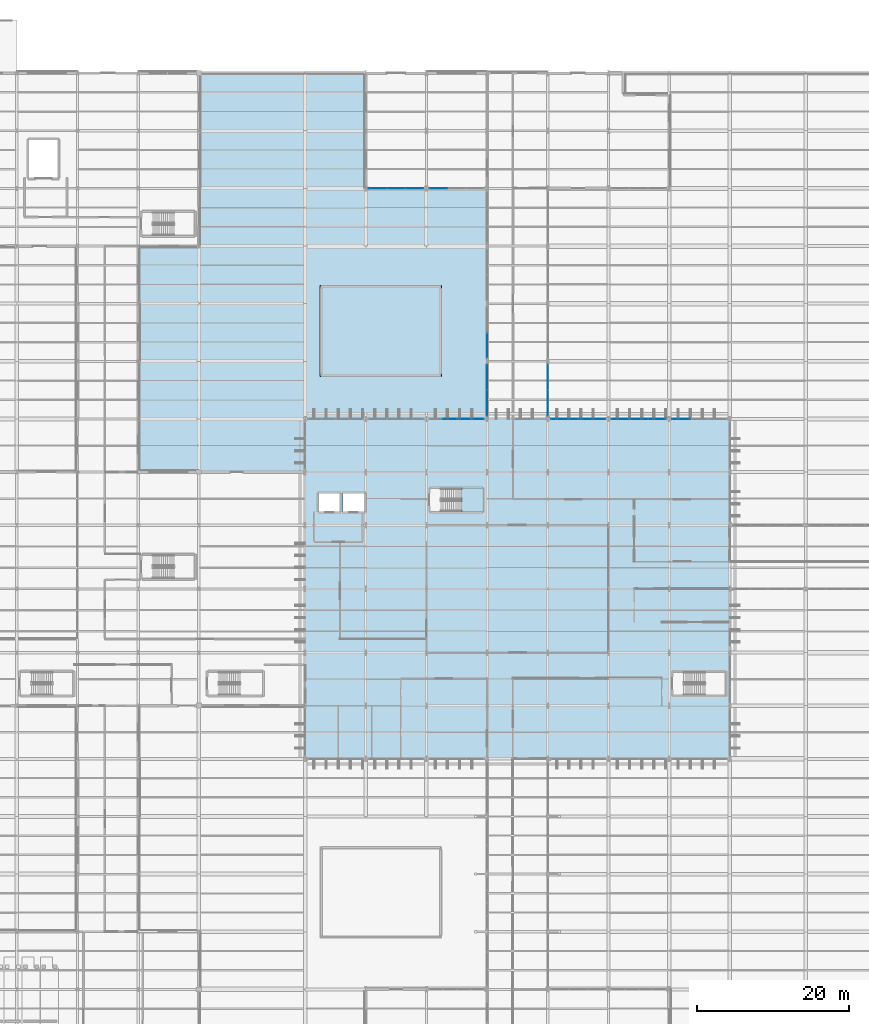
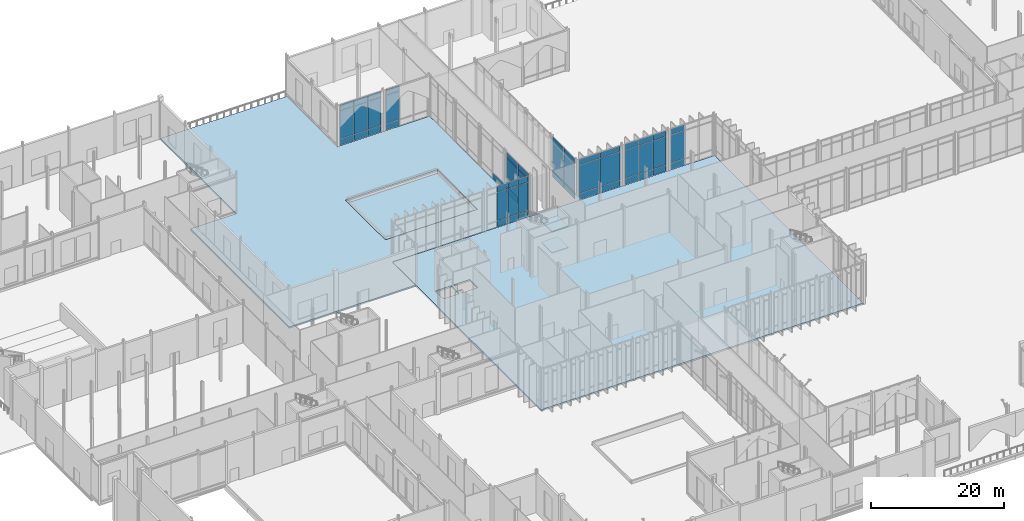
# One storey, part 120 of 176: 52 plates, 5 slabs, 10 elements without a shape of their own.
"""IFC4 building model written with IfcOpenShell, lengths in metres."""

from ifc_helpers import new_model, si_unit, direction, frame, origin, origin_2d, place, context, subcontext, project, spatial, polyline, rectangle, outline, extrude, material, layer, layer_set, type_object, element, aggregate, save


model = new_model("IFC4")

# Units and contexts
model_context = context("Model", 3, precision=1e-05, world=origin(), true_north=direction((0.0, 1.0)))
body_context = subcontext(model_context, "Body", "Model", "MODEL_VIEW")
ifc_project = project(units=[si_unit("LENGTHUNIT", "METRE"), si_unit("AREAUNIT", "SQUARE_METRE"), si_unit("VOLUMEUNIT", "CUBIC_METRE"), si_unit("PLANEANGLEUNIT", "RADIAN"), si_unit("MASSUNIT", "GRAM", prefix="KILO")], contexts=[model_context])

# Site, building, storey
site_placement = place(None, origin())
site = spatial("IfcSite", under=ifc_project, at=site_placement, CompositionType="ELEMENT")
building_placement = place(site_placement, origin())
building = spatial("IfcBuilding", under=site, at=building_placement, Name="Vekula Escarpment Museum", CompositionType="ELEMENT")
storey_placement = place(building_placement, origin())
storey = spatial("IfcBuildingStorey", under=building, at=storey_placement, Name="L01", CompositionType="ELEMENT", Elevation=0.0)

# Curtain wall, plates
ifc_material_1 = material(Name="Aluminium thermally broken framing", Category="aluminium")
ifc_layer_1 = layer(ifc_material_1, 0.179931640625)
ifc_layer_set_1 = layer_set([ifc_layer_1], Name="Aluminium thermally broken framing")
curtain_wall_type_1 = type_object("IfcCurtainWallType", Name="CW-SYS-08", PredefinedType="NOTDEFINED", material=ifc_layer_set_1)
curtain_wall_1_placement = place(storey_placement, origin())
curtain_wall_1 = element("IfcCurtainWall", 1, at=curtain_wall_1_placement, inside=storey, type_object=curtain_wall_type_1, Name="Curtain Wall CW-L01-028", PredefinedType="NOTDEFINED")
ifc_material_2 = material(Name="Double solar-control low-E glass", Category="glass")
ifc_layer_2 = layer(ifc_material_2, 0.028076171875)
ifc_layer_set_2 = layer_set([ifc_layer_2], Name="Double solar-control low-E glass")
plate_type_1 = type_object("IfcPlateType", Name="CW-PNL-28", PredefinedType="CURTAIN_PANEL", material=ifc_layer_set_2)
plate_1_placement = place(storey_placement, frame((102.0, 92.496337890625, 0.06494140625), z_axis=(0.0, 0.0, 1.0), x_axis=(0.0, 1.0, 0.0)))
plate_1 = element("IfcPlate", 2, at=plate_1_placement, type_object=plate_type_1, Name="CW-08 panel 1.1", PredefinedType="CURTAIN_PANEL", context=body_context, shape_type="SweptSolid", body=[
    extrude(rectangle(XDim=3.342529296875, YDim=0.028076171875, at=origin_2d()), origin(), (0.0, 0.0, 1.0), 1.1025390625),
])
plate_2_placement = place(storey_placement, frame((102.0, 92.496337890625, 1.232421875), z_axis=(0.0, 0.0, 1.0), x_axis=(0.0, 1.0, 0.0)))
plate_2 = element("IfcPlate", 3, at=plate_2_placement, type_object=plate_type_1, Name="CW-08 panel 1.2", PredefinedType="CURTAIN_PANEL", context=body_context, shape_type="SweptSolid", body=[
    extrude(rectangle(XDim=3.342529296875, YDim=0.028076171875, at=origin_2d()), origin(), (0.0, 0.0, 1.0), 5.175048828125),
])
plate_3_placement = place(storey_placement, frame((102.0, 92.496337890625, 6.472412109375), z_axis=(0.0, 0.0, 1.0), x_axis=(0.0, 1.0, 0.0)))
plate_3 = element("IfcPlate", 4, at=plate_3_placement, type_object=plate_type_1, Name="CW-08 panel 1.3", PredefinedType="CURTAIN_PANEL", context=body_context, shape_type="SweptSolid", body=[
    extrude(rectangle(XDim=3.342529296875, YDim=0.028076171875, at=origin_2d()), origin(), (0.0, 0.0, 1.0), 1.00244140625),
])
plate_4_placement = place(storey_placement, frame((102.0, 95.90380859375, 0.06494140625), z_axis=(0.0, 0.0, 1.0), x_axis=(0.0, 1.0, 0.0)))
plate_4 = element("IfcPlate", 5, at=plate_4_placement, type_object=plate_type_1, Name="CW-08 panel 2.1", PredefinedType="CURTAIN_PANEL", context=body_context, shape_type="SweptSolid", body=[
    extrude(rectangle(XDim=3.342529296875, YDim=0.028076171875, at=origin_2d()), origin(), (0.0, 0.0, 1.0), 1.1025390625),
])
plate_5_placement = place(storey_placement, frame((102.0, 95.90380859375, 1.232421875), z_axis=(0.0, 0.0, 1.0), x_axis=(0.0, 1.0, 0.0)))
plate_5 = element("IfcPlate", 6, at=plate_5_placement, type_object=plate_type_1, Name="CW-08 panel 2.2", PredefinedType="CURTAIN_PANEL", context=body_context, shape_type="SweptSolid", body=[
    extrude(rectangle(XDim=3.342529296875, YDim=0.028076171875, at=origin_2d()), origin(), (0.0, 0.0, 1.0), 5.175048828125),
])
plate_6_placement = place(storey_placement, frame((102.0, 95.90380859375, 6.472412109375), z_axis=(0.0, 0.0, 1.0), x_axis=(0.0, 1.0, 0.0)))
plate_6 = element("IfcPlate", 7, at=plate_6_placement, type_object=plate_type_1, Name="CW-08 panel 2.3", PredefinedType="CURTAIN_PANEL", context=body_context, shape_type="SweptSolid", body=[
    extrude(rectangle(XDim=3.342529296875, YDim=0.028076171875, at=origin_2d()), origin(), (0.0, 0.0, 1.0), 1.00244140625),
])
aggregate(curtain_wall_1, [plate_1, plate_2, plate_3, plate_4, plate_5, plate_6])

ifc_material_3 = material(Name="Aluminium thermally broken framing", Category="aluminium")
ifc_layer_3 = layer(ifc_material_3, 0.159912109375)
ifc_layer_set_3 = layer_set([ifc_layer_3], Name="Aluminium thermally broken framing")
curtain_wall_type_2 = type_object("IfcCurtainWallType", Name="CW-SYS-05", PredefinedType="NOTDEFINED", material=ifc_layer_set_3)
curtain_wall_2_placement = place(storey_placement, origin())
curtain_wall_2 = element("IfcCurtainWall", 8, at=curtain_wall_2_placement, inside=storey, type_object=curtain_wall_type_2, Name="Curtain Wall CW-L01-025", PredefinedType="NOTDEFINED")
ifc_material_4 = material(Name="Acoustic laminated double low-E glass", Category="glass")
ifc_layer_4 = layer(ifc_material_4, 0.031982421875)
ifc_layer_set_4 = layer_set([ifc_layer_4], Name="Acoustic laminated double low-E glass")
plate_type_2 = type_object("IfcPlateType", Name="CW-PNL-32", PredefinedType="CURTAIN_PANEL", material=ifc_layer_set_4)
plate_7_placement = place(storey_placement, frame((119.589599609375, 90.39990234375, 0.06494140625), z_axis=(0.0, 0.0, 1.0), x_axis=(-1.0, 0.0, 0.0)))
plate_7 = element("IfcPlate", 9, at=plate_7_placement, type_object=plate_type_2, Name="CW-05 panel 3.1", PredefinedType="CURTAIN_PANEL", context=body_context, shape_type="SweptSolid", body=[
    extrude(rectangle(XDim=2.3291015625, YDim=0.031982421875, at=origin_2d()), origin(), (0.0, 0.0, 1.0), 1.1025390625),
])
plate_8_placement = place(storey_placement, frame((119.589599609375, 90.39990234375, 1.232421875), z_axis=(0.0, 0.0, 1.0), x_axis=(-1.0, 0.0, 0.0)))
plate_8 = element("IfcPlate", 10, at=plate_8_placement, type_object=plate_type_2, Name="CW-05 panel 3.2", PredefinedType="CURTAIN_PANEL", context=body_context, shape_type="SweptSolid", body=[
    extrude(rectangle(XDim=2.3291015625, YDim=0.031982421875, at=origin_2d()), origin(), (0.0, 0.0, 1.0), 5.175048828125),
])
plate_9_placement = place(storey_placement, frame((119.589599609375, 90.39990234375, 6.472412109375), z_axis=(0.0, 0.0, 1.0), x_axis=(-1.0, 0.0, 0.0)))
plate_9 = element("IfcPlate", 11, at=plate_9_placement, type_object=plate_type_2, Name="CW-05 panel 3.3", PredefinedType="CURTAIN_PANEL", context=body_context, shape_type="SweptSolid", body=[
    extrude(rectangle(XDim=2.3291015625, YDim=0.031982421875, at=origin_2d()), origin(), (0.0, 0.0, 1.0), 1.00244140625),
])
aggregate(curtain_wall_2, [plate_7, plate_8, plate_9])

ifc_material_5 = material(Name="Aluminium thermally broken framing", Category="aluminium")
ifc_layer_5 = layer(ifc_material_5, 0.199951171875)
ifc_layer_set_5 = layer_set([ifc_layer_5], Name="Aluminium thermally broken framing")
curtain_wall_type_3 = type_object("IfcCurtainWallType", Name="CW-SYS-03", PredefinedType="NOTDEFINED", material=ifc_layer_set_5)
curtain_wall_3_placement = place(storey_placement, origin())
curtain_wall_3 = element("IfcCurtainWall", 12, at=curtain_wall_3_placement, inside=storey, type_object=curtain_wall_type_3, Name="Curtain Wall CW-L01-033", PredefinedType="NOTDEFINED")
plate_10_placement = place(storey_placement, frame((79.589599609375, 120.800048828125, 0.06494140625), z_axis=(0.0, 0.0, 1.0), x_axis=(1.0, 0.0, 0.0)))
plate_10 = element("IfcPlate", 13, at=plate_10_placement, type_object=plate_type_2, Name="CW-03 panel 1.1", PredefinedType="CURTAIN_PANEL", context=body_context, shape_type="SweptSolid", body=[
    extrude(rectangle(XDim=2.3291015625, YDim=0.031982421875, at=origin_2d()), origin(), (0.0, 0.0, 1.0), 1.1025390625),
])
plate_11_placement = place(storey_placement, frame((79.589599609375, 120.800048828125, 1.232421875), z_axis=(0.0, 0.0, 1.0), x_axis=(1.0, 0.0, 0.0)))
plate_11 = element("IfcPlate", 14, at=plate_11_placement, type_object=plate_type_2, Name="CW-03 panel 1.2", PredefinedType="CURTAIN_PANEL", context=body_context, shape_type="SweptSolid", body=[
    extrude(rectangle(XDim=2.3291015625, YDim=0.031982421875, at=origin_2d()), origin(), (0.0, 0.0, 1.0), 5.175048828125),
])
plate_12_placement = place(storey_placement, frame((79.589599609375, 120.800048828125, 6.472412109375), z_axis=(0.0, 0.0, 1.0), x_axis=(1.0, 0.0, 0.0)))
plate_12 = element("IfcPlate", 15, at=plate_12_placement, type_object=plate_type_2, Name="CW-03 panel 1.3", PredefinedType="CURTAIN_PANEL", context=body_context, shape_type="SweptSolid", body=[
    extrude(rectangle(XDim=2.3291015625, YDim=0.031982421875, at=origin_2d()), origin(), (0.0, 0.0, 1.0), 1.00244140625),
])
plate_13_placement = place(storey_placement, frame((82.0, 120.800048828125, 0.06494140625), z_axis=(0.0, 0.0, 1.0), x_axis=(1.0, 0.0, 0.0)))
plate_13 = element("IfcPlate", 16, at=plate_13_placement, type_object=plate_type_2, Name="CW-03 panel 2.1", PredefinedType="CURTAIN_PANEL", context=body_context, shape_type="SweptSolid", body=[
    extrude(rectangle(XDim=2.361572265625, YDim=0.031982421875, at=origin_2d()), origin(), (0.0, 0.0, 1.0), 1.1025390625),
])
plate_14_placement = place(storey_placement, frame((82.0, 120.800048828125, 1.232421875), z_axis=(0.0, 0.0, 1.0), x_axis=(1.0, 0.0, 0.0)))
plate_14 = element("IfcPlate", 17, at=plate_14_placement, type_object=plate_type_2, Name="CW-03 panel 2.2", PredefinedType="CURTAIN_PANEL", context=body_context, shape_type="SweptSolid", body=[
    extrude(rectangle(XDim=2.361572265625, YDim=0.031982421875, at=origin_2d()), origin(), (0.0, 0.0, 1.0), 5.175048828125),
])
plate_15_placement = place(storey_placement, frame((82.0, 120.800048828125, 6.472412109375), z_axis=(0.0, 0.0, 1.0), x_axis=(1.0, 0.0, 0.0)))
plate_15 = element("IfcPlate", 18, at=plate_15_placement, type_object=plate_type_2, Name="CW-03 panel 2.3", PredefinedType="CURTAIN_PANEL", context=body_context, shape_type="SweptSolid", body=[
    extrude(rectangle(XDim=2.361572265625, YDim=0.031982421875, at=origin_2d()), origin(), (0.0, 0.0, 1.0), 1.00244140625),
])
plate_16_placement = place(storey_placement, frame((84.410400390625, 120.800048828125, 0.06494140625), z_axis=(0.0, 0.0, 1.0), x_axis=(1.0, 0.0, 0.0)))
plate_16 = element("IfcPlate", 19, at=plate_16_placement, type_object=plate_type_2, Name="CW-03 panel 3.1", PredefinedType="CURTAIN_PANEL", context=body_context, shape_type="SweptSolid", body=[
    extrude(rectangle(XDim=2.3291015625, YDim=0.031982421875, at=origin_2d()), origin(), (0.0, 0.0, 1.0), 1.1025390625),
])
plate_17_placement = place(storey_placement, frame((84.410400390625, 120.800048828125, 1.232421875), z_axis=(0.0, 0.0, 1.0), x_axis=(1.0, 0.0, 0.0)))
plate_17 = element("IfcPlate", 20, at=plate_17_placement, type_object=plate_type_2, Name="CW-03 panel 3.2", PredefinedType="CURTAIN_PANEL", context=body_context, shape_type="SweptSolid", body=[
    extrude(rectangle(XDim=2.3291015625, YDim=0.031982421875, at=origin_2d()), origin(), (0.0, 0.0, 1.0), 5.175048828125),
])
plate_18_placement = place(storey_placement, frame((84.410400390625, 120.800048828125, 6.472412109375), z_axis=(0.0, 0.0, 1.0), x_axis=(1.0, 0.0, 0.0)))
plate_18 = element("IfcPlate", 21, at=plate_18_placement, type_object=plate_type_2, Name="CW-03 panel 3.3", PredefinedType="CURTAIN_PANEL", context=body_context, shape_type="SweptSolid", body=[
    extrude(rectangle(XDim=2.3291015625, YDim=0.031982421875, at=origin_2d()), origin(), (0.0, 0.0, 1.0), 1.00244140625),
])
aggregate(curtain_wall_3, [plate_10, plate_11, plate_12, plate_13, plate_14, plate_15, plate_16, plate_17, plate_18])

# Curtain wall, plate
ifc_material_6 = material(Name="Aluminium thermally broken framing", Category="aluminium")
ifc_layer_6 = layer(ifc_material_6, 0.179931640625)
ifc_layer_set_6 = layer_set([ifc_layer_6], Name="Aluminium thermally broken framing")
curtain_wall_type_4 = type_object("IfcCurtainWallType", Name="CW-SYS-07", PredefinedType="NOTDEFINED", material=ifc_layer_set_6)
curtain_wall_4_placement = place(storey_placement, origin())
curtain_wall_4 = element("IfcCurtainWall", 22, at=curtain_wall_4_placement, inside=storey, type_object=curtain_wall_type_4, Name="Curtain Wall CW-L01-037", PredefinedType="NOTDEFINED")
plate_19_placement = place(storey_placement, frame((94.0, 100.09619140625, 0.06494140625), z_axis=(0.0, 0.0, 1.0), x_axis=(0.0, -1.0, 0.0)))
plate_19 = element("IfcPlate", 23, at=plate_19_placement, type_object=plate_type_2, Name="CW-07 panel 2.1", PredefinedType="CURTAIN_PANEL", context=body_context, shape_type="SweptSolid", body=[
    extrude(rectangle(XDim=3.342529296875, YDim=0.031982421875, at=origin_2d()), origin(), (0.0, 0.0, 1.0), 1.1025390625),
])
aggregate(curtain_wall_4, [plate_19])

# Curtain wall, plates
ifc_material_7 = material(Name="Aluminium thermally broken framing", Category="aluminium")
ifc_layer_7 = layer(ifc_material_7, 0.139892578125)
ifc_layer_set_7 = layer_set([ifc_layer_7], Name="Aluminium thermally broken framing")
curtain_wall_type_5 = type_object("IfcCurtainWallType", Name="CW-SYS-06", PredefinedType="NOTDEFINED", material=ifc_layer_set_7)
curtain_wall_5_placement = place(storey_placement, origin())
curtain_wall_5 = element("IfcCurtainWall", 24, at=curtain_wall_5_placement, inside=storey, type_object=curtain_wall_type_5, Name="Curtain Wall CW-L01-026", PredefinedType="NOTDEFINED")
ifc_material_8 = material(Name="Triple UV-filtered museum gallery glass", Category="glass")
ifc_layer_8 = layer(ifc_material_8, 0.035888671875)
ifc_layer_set_8 = layer_set([ifc_layer_8], Name="Triple UV-filtered museum gallery glass")
plate_type_3 = type_object("IfcPlateType", Name="CW-PNL-36", PredefinedType="CURTAIN_PANEL", material=ifc_layer_set_8)
plate_20_placement = place(storey_placement, frame((116.410400390625, 90.39990234375, 0.06494140625), z_axis=(0.0, 0.0, 1.0), x_axis=(-1.0, 0.0, 0.0)))
plate_20 = element("IfcPlate", 25, at=plate_20_placement, type_object=plate_type_3, Name="CW-06 panel 1.1", PredefinedType="CURTAIN_PANEL", context=body_context, shape_type="SweptSolid", body=[
    extrude(rectangle(XDim=2.3291015625, YDim=0.035888671875, at=origin_2d()), origin(), (0.0, 0.0, 1.0), 1.1025390625),
])
plate_21_placement = place(storey_placement, frame((116.410400390625, 90.39990234375, 1.232421875), z_axis=(0.0, 0.0, 1.0), x_axis=(-1.0, 0.0, 0.0)))
plate_21 = element("IfcPlate", 26, at=plate_21_placement, type_object=plate_type_3, Name="CW-06 panel 1.2", PredefinedType="CURTAIN_PANEL", context=body_context, shape_type="SweptSolid", body=[
    extrude(rectangle(XDim=2.3291015625, YDim=0.035888671875, at=origin_2d()), origin(), (0.0, 0.0, 1.0), 5.175048828125),
])
plate_22_placement = place(storey_placement, frame((116.410400390625, 90.39990234375, 6.472412109375), z_axis=(0.0, 0.0, 1.0), x_axis=(-1.0, 0.0, 0.0)))
plate_22 = element("IfcPlate", 27, at=plate_22_placement, type_object=plate_type_3, Name="CW-06 panel 1.3", PredefinedType="CURTAIN_PANEL", context=body_context, shape_type="SweptSolid", body=[
    extrude(rectangle(XDim=2.3291015625, YDim=0.035888671875, at=origin_2d()), origin(), (0.0, 0.0, 1.0), 1.00244140625),
])
plate_23_placement = place(storey_placement, frame((114.0, 90.39990234375, 0.06494140625), z_axis=(0.0, 0.0, 1.0), x_axis=(-1.0, 0.0, 0.0)))
plate_23 = element("IfcPlate", 28, at=plate_23_placement, type_object=plate_type_3, Name="CW-06 panel 2.1", PredefinedType="CURTAIN_PANEL", context=body_context, shape_type="SweptSolid", body=[
    extrude(rectangle(XDim=2.361572265625, YDim=0.035888671875, at=origin_2d()), origin(), (0.0, 0.0, 1.0), 1.1025390625),
])
plate_24_placement = place(storey_placement, frame((114.0, 90.39990234375, 1.232421875), z_axis=(0.0, 0.0, 1.0), x_axis=(-1.0, 0.0, 0.0)))
plate_24 = element("IfcPlate", 29, at=plate_24_placement, type_object=plate_type_3, Name="CW-06 panel 2.2", PredefinedType="CURTAIN_PANEL", context=body_context, shape_type="SweptSolid", body=[
    extrude(rectangle(XDim=2.361572265625, YDim=0.035888671875, at=origin_2d()), origin(), (0.0, 0.0, 1.0), 5.175048828125),
])
plate_25_placement = place(storey_placement, frame((114.0, 90.39990234375, 6.472412109375), z_axis=(0.0, 0.0, 1.0), x_axis=(-1.0, 0.0, 0.0)))
plate_25 = element("IfcPlate", 30, at=plate_25_placement, type_object=plate_type_3, Name="CW-06 panel 2.3", PredefinedType="CURTAIN_PANEL", context=body_context, shape_type="SweptSolid", body=[
    extrude(rectangle(XDim=2.361572265625, YDim=0.035888671875, at=origin_2d()), origin(), (0.0, 0.0, 1.0), 1.00244140625),
])
plate_26_placement = place(storey_placement, frame((111.589599609375, 90.39990234375, 0.06494140625), z_axis=(0.0, 0.0, 1.0), x_axis=(-1.0, 0.0, 0.0)))
plate_26 = element("IfcPlate", 31, at=plate_26_placement, type_object=plate_type_3, Name="CW-06 panel 3.1", PredefinedType="CURTAIN_PANEL", context=body_context, shape_type="SweptSolid", body=[
    extrude(rectangle(XDim=2.3291015625, YDim=0.035888671875, at=origin_2d()), origin(), (0.0, 0.0, 1.0), 1.1025390625),
])
plate_27_placement = place(storey_placement, frame((111.589599609375, 90.39990234375, 1.232421875), z_axis=(0.0, 0.0, 1.0), x_axis=(-1.0, 0.0, 0.0)))
plate_27 = element("IfcPlate", 32, at=plate_27_placement, type_object=plate_type_3, Name="CW-06 panel 3.2", PredefinedType="CURTAIN_PANEL", context=body_context, shape_type="SweptSolid", body=[
    extrude(rectangle(XDim=2.3291015625, YDim=0.035888671875, at=origin_2d()), origin(), (0.0, 0.0, 1.0), 5.175048828125),
])
plate_28_placement = place(storey_placement, frame((111.589599609375, 90.39990234375, 6.472412109375), z_axis=(0.0, 0.0, 1.0), x_axis=(-1.0, 0.0, 0.0)))
plate_28 = element("IfcPlate", 33, at=plate_28_placement, type_object=plate_type_3, Name="CW-06 panel 3.3", PredefinedType="CURTAIN_PANEL", context=body_context, shape_type="SweptSolid", body=[
    extrude(rectangle(XDim=2.3291015625, YDim=0.035888671875, at=origin_2d()), origin(), (0.0, 0.0, 1.0), 1.00244140625),
])
aggregate(curtain_wall_5, [plate_20, plate_21, plate_22, plate_23, plate_24, plate_25, plate_26, plate_27, plate_28])

ifc_material_9 = material(Name="Aluminium thermally broken framing", Category="aluminium")
ifc_layer_9 = layer(ifc_material_9, 0.199951171875)
ifc_layer_set_9 = layer_set([ifc_layer_9], Name="Aluminium thermally broken framing")
curtain_wall_type_6 = type_object("IfcCurtainWallType", Name="CW-SYS-04", PredefinedType="NOTDEFINED", material=ifc_layer_set_9)
curtain_wall_6_placement = place(storey_placement, origin())
curtain_wall_6 = element("IfcCurtainWall", 34, at=curtain_wall_6_placement, inside=storey, type_object=curtain_wall_type_6, Name="Curtain Wall CW-L01-034", PredefinedType="NOTDEFINED")
plate_29_placement = place(storey_placement, frame((87.589599609375, 120.800048828125, 0.06494140625), z_axis=(0.0, 0.0, 1.0), x_axis=(1.0, 0.0, 0.0)))
plate_29 = element("IfcPlate", 35, at=plate_29_placement, type_object=plate_type_3, Name="CW-04 panel 1.1", PredefinedType="CURTAIN_PANEL", context=body_context, shape_type="SweptSolid", body=[
    extrude(rectangle(XDim=2.3291015625, YDim=0.035888671875, at=origin_2d()), origin(), (0.0, 0.0, 1.0), 1.1025390625),
])
plate_30_placement = place(storey_placement, frame((87.589599609375, 120.800048828125, 1.232421875), z_axis=(0.0, 0.0, 1.0), x_axis=(1.0, 0.0, 0.0)))
plate_30 = element("IfcPlate", 36, at=plate_30_placement, type_object=plate_type_3, Name="CW-04 panel 1.2", PredefinedType="CURTAIN_PANEL", context=body_context, shape_type="SweptSolid", body=[
    extrude(rectangle(XDim=2.3291015625, YDim=0.035888671875, at=origin_2d()), origin(), (0.0, 0.0, 1.0), 5.175048828125),
])
plate_31_placement = place(storey_placement, frame((87.589599609375, 120.800048828125, 6.472412109375), z_axis=(0.0, 0.0, 1.0), x_axis=(1.0, 0.0, 0.0)))
plate_31 = element("IfcPlate", 37, at=plate_31_placement, type_object=plate_type_3, Name="CW-04 panel 1.3", PredefinedType="CURTAIN_PANEL", context=body_context, shape_type="SweptSolid", body=[
    extrude(rectangle(XDim=2.3291015625, YDim=0.035888671875, at=origin_2d()), origin(), (0.0, 0.0, 1.0), 1.00244140625),
])
aggregate(curtain_wall_6, [plate_29, plate_30, plate_31])

curtain_wall_7_placement = place(storey_placement, origin())
curtain_wall_7 = element("IfcCurtainWall", 38, at=curtain_wall_7_placement, inside=storey, type_object=curtain_wall_type_1, Name="Curtain Wall CW-L01-038", PredefinedType="NOTDEFINED")
plate_32_placement = place(storey_placement, frame((94.0, 95.90380859375, 0.06494140625), z_axis=(0.0, 0.0, 1.0), x_axis=(0.0, -1.0, 0.0)))
plate_32 = element("IfcPlate", 39, at=plate_32_placement, type_object=plate_type_3, Name="CW-08 panel 1.1", PredefinedType="CURTAIN_PANEL", context=body_context, shape_type="SweptSolid", body=[
    extrude(rectangle(XDim=3.342529296875, YDim=0.035888671875, at=origin_2d()), origin(), (0.0, 0.0, 1.0), 1.1025390625),
])
plate_33_placement = place(storey_placement, frame((94.0, 95.90380859375, 1.232421875), z_axis=(0.0, 0.0, 1.0), x_axis=(0.0, -1.0, 0.0)))
plate_33 = element("IfcPlate", 40, at=plate_33_placement, type_object=plate_type_3, Name="CW-08 panel 1.2", PredefinedType="CURTAIN_PANEL", context=body_context, shape_type="SweptSolid", body=[
    extrude(rectangle(XDim=3.342529296875, YDim=0.035888671875, at=origin_2d()), origin(), (0.0, 0.0, 1.0), 5.175048828125),
])
plate_34_placement = place(storey_placement, frame((94.0, 95.90380859375, 6.472412109375), z_axis=(0.0, 0.0, 1.0), x_axis=(0.0, -1.0, 0.0)))
plate_34 = element("IfcPlate", 41, at=plate_34_placement, type_object=plate_type_3, Name="CW-08 panel 1.3", PredefinedType="CURTAIN_PANEL", context=body_context, shape_type="SweptSolid", body=[
    extrude(rectangle(XDim=3.342529296875, YDim=0.035888671875, at=origin_2d()), origin(), (0.0, 0.0, 1.0), 1.00244140625),
])
plate_35_placement = place(storey_placement, frame((94.0, 92.496337890625, 0.06494140625), z_axis=(0.0, 0.0, 1.0), x_axis=(0.0, -1.0, 0.0)))
plate_35 = element("IfcPlate", 42, at=plate_35_placement, type_object=plate_type_3, Name="CW-08 panel 2.1", PredefinedType="CURTAIN_PANEL", context=body_context, shape_type="SweptSolid", body=[
    extrude(rectangle(XDim=3.342529296875, YDim=0.035888671875, at=origin_2d()), origin(), (0.0, 0.0, 1.0), 1.1025390625),
])
plate_36_placement = place(storey_placement, frame((94.0, 92.496337890625, 1.232421875), z_axis=(0.0, 0.0, 1.0), x_axis=(0.0, -1.0, 0.0)))
plate_36 = element("IfcPlate", 43, at=plate_36_placement, type_object=plate_type_3, Name="CW-08 panel 2.2", PredefinedType="CURTAIN_PANEL", context=body_context, shape_type="SweptSolid", body=[
    extrude(rectangle(XDim=3.342529296875, YDim=0.035888671875, at=origin_2d()), origin(), (0.0, 0.0, 1.0), 5.175048828125),
])
plate_37_placement = place(storey_placement, frame((94.0, 92.496337890625, 6.472412109375), z_axis=(0.0, 0.0, 1.0), x_axis=(0.0, -1.0, 0.0)))
plate_37 = element("IfcPlate", 44, at=plate_37_placement, type_object=plate_type_3, Name="CW-08 panel 2.3", PredefinedType="CURTAIN_PANEL", context=body_context, shape_type="SweptSolid", body=[
    extrude(rectangle(XDim=3.342529296875, YDim=0.035888671875, at=origin_2d()), origin(), (0.0, 0.0, 1.0), 1.00244140625),
])
aggregate(curtain_wall_7, [plate_32, plate_33, plate_34, plate_35, plate_36, plate_37])

curtain_wall_8_placement = place(storey_placement, origin())
curtain_wall_8 = element("IfcCurtainWall", 45, at=curtain_wall_8_placement, inside=storey, type_object=curtain_wall_type_4, Name="Curtain Wall CW-L01-027", PredefinedType="NOTDEFINED")
ifc_material_10 = material(Name="Insulated bronze spandrel glass panel", Category="glass")
ifc_layer_10 = layer(ifc_material_10, 0.0400390625)
ifc_layer_set_10 = layer_set([ifc_layer_10], Name="Insulated bronze spandrel glass panel")
plate_type_4 = type_object("IfcPlateType", Name="CW-PNL-40", PredefinedType="CURTAIN_PANEL", material=ifc_layer_set_10)
plate_38_placement = place(storey_placement, frame((107.8037109375, 90.39990234375, 0.06494140625), z_axis=(0.0, 0.0, 1.0), x_axis=(-1.0, 0.0, 0.0)))
plate_38 = element("IfcPlate", 46, at=plate_38_placement, type_object=plate_type_4, Name="CW-07 panel 1.1", PredefinedType="CURTAIN_PANEL", context=body_context, shape_type="SweptSolid", body=[
    extrude(rectangle(XDim=3.54248046875, YDim=0.0400390625, at=origin_2d()), origin(), (0.0, 0.0, 1.0), 1.1025390625),
])
plate_39_placement = place(storey_placement, frame((107.8037109375, 90.39990234375, 1.232421875), z_axis=(0.0, 0.0, 1.0), x_axis=(-1.0, 0.0, 0.0)))
plate_39 = element("IfcPlate", 47, at=plate_39_placement, type_object=plate_type_4, Name="CW-07 panel 1.2", PredefinedType="CURTAIN_PANEL", context=body_context, shape_type="SweptSolid", body=[
    extrude(rectangle(XDim=3.54248046875, YDim=0.0400390625, at=origin_2d()), origin(), (0.0, 0.0, 1.0), 5.175048828125),
])
plate_40_placement = place(storey_placement, frame((107.8037109375, 90.39990234375, 6.472412109375), z_axis=(0.0, 0.0, 1.0), x_axis=(-1.0, 0.0, 0.0)))
plate_40 = element("IfcPlate", 48, at=plate_40_placement, type_object=plate_type_4, Name="CW-07 panel 1.3", PredefinedType="CURTAIN_PANEL", context=body_context, shape_type="SweptSolid", body=[
    extrude(rectangle(XDim=3.54248046875, YDim=0.0400390625, at=origin_2d()), origin(), (0.0, 0.0, 1.0), 1.00244140625),
])
plate_41_placement = place(storey_placement, frame((104.1962890625, 90.39990234375, 0.06494140625), z_axis=(0.0, 0.0, 1.0), x_axis=(-1.0, 0.0, 0.0)))
plate_41 = element("IfcPlate", 49, at=plate_41_placement, type_object=plate_type_4, Name="CW-07 panel 2.1", PredefinedType="CURTAIN_PANEL", context=body_context, shape_type="SweptSolid", body=[
    extrude(rectangle(XDim=3.54248046875, YDim=0.0400390625, at=origin_2d()), origin(), (0.0, 0.0, 1.0), 1.1025390625),
])
plate_42_placement = place(storey_placement, frame((104.1962890625, 90.39990234375, 1.232421875), z_axis=(0.0, 0.0, 1.0), x_axis=(-1.0, 0.0, 0.0)))
plate_42 = element("IfcPlate", 50, at=plate_42_placement, type_object=plate_type_4, Name="CW-07 panel 2.2", PredefinedType="CURTAIN_PANEL", context=body_context, shape_type="SweptSolid", body=[
    extrude(rectangle(XDim=3.54248046875, YDim=0.0400390625, at=origin_2d()), origin(), (0.0, 0.0, 1.0), 5.175048828125),
])
plate_43_placement = place(storey_placement, frame((104.1962890625, 90.39990234375, 6.472412109375), z_axis=(0.0, 0.0, 1.0), x_axis=(-1.0, 0.0, 0.0)))
plate_43 = element("IfcPlate", 51, at=plate_43_placement, type_object=plate_type_4, Name="CW-07 panel 2.3", PredefinedType="CURTAIN_PANEL", context=body_context, shape_type="SweptSolid", body=[
    extrude(rectangle(XDim=3.54248046875, YDim=0.0400390625, at=origin_2d()), origin(), (0.0, 0.0, 1.0), 1.00244140625),
])
aggregate(curtain_wall_8, [plate_38, plate_39, plate_40, plate_41, plate_42, plate_43])

ifc_material_11 = material(Name="Aluminium thermally broken framing", Category="aluminium")
ifc_layer_11 = layer(ifc_material_11, 0.14990234375)
ifc_layer_set_11 = layer_set([ifc_layer_11], Name="Aluminium thermally broken framing")
curtain_wall_type_7 = type_object("IfcCurtainWallType", Name="CW-SYS-09", PredefinedType="NOTDEFINED", material=ifc_layer_set_11)
curtain_wall_9_placement = place(storey_placement, origin())
curtain_wall_9 = element("IfcCurtainWall", 52, at=curtain_wall_9_placement, inside=storey, type_object=curtain_wall_type_7, Name="Curtain Wall CW-L01-039", PredefinedType="NOTDEFINED")
plate_44_placement = place(storey_placement, frame((92.7138671875, 90.39990234375, 0.06494140625), z_axis=(0.0, 0.0, 1.0), x_axis=(-1.0, 0.0, 0.0)))
plate_44 = element("IfcPlate", 53, at=plate_44_placement, type_object=plate_type_4, Name="CW-09 panel 1.1", PredefinedType="CURTAIN_PANEL", context=body_context, shape_type="SweptSolid", body=[
    extrude(rectangle(XDim=1.722412109375, YDim=0.0400390625, at=origin_2d()), origin(), (0.0, 0.0, 1.0), 1.1025390625),
])
plate_45_placement = place(storey_placement, frame((92.7138671875, 90.39990234375, 1.232421875), z_axis=(0.0, 0.0, 1.0), x_axis=(-1.0, 0.0, 0.0)))
plate_45 = element("IfcPlate", 54, at=plate_45_placement, type_object=plate_type_4, Name="CW-09 panel 1.2", PredefinedType="CURTAIN_PANEL", context=body_context, shape_type="SweptSolid", body=[
    extrude(rectangle(XDim=1.722412109375, YDim=0.0400390625, at=origin_2d()), origin(), (0.0, 0.0, 1.0), 5.175048828125),
])
plate_46_placement = place(storey_placement, frame((92.7138671875, 90.39990234375, 6.472412109375), z_axis=(0.0, 0.0, 1.0), x_axis=(-1.0, 0.0, 0.0)))
plate_46 = element("IfcPlate", 55, at=plate_46_placement, type_object=plate_type_4, Name="CW-09 panel 1.3", PredefinedType="CURTAIN_PANEL", context=body_context, shape_type="SweptSolid", body=[
    extrude(rectangle(XDim=1.722412109375, YDim=0.0400390625, at=origin_2d()), origin(), (0.0, 0.0, 1.0), 1.00244140625),
])
plate_47_placement = place(storey_placement, frame((90.909912109375, 90.39990234375, 0.06494140625), z_axis=(0.0, 0.0, 1.0), x_axis=(-1.0, 0.0, 0.0)))
plate_47 = element("IfcPlate", 56, at=plate_47_placement, type_object=plate_type_4, Name="CW-09 panel 2.1", PredefinedType="CURTAIN_PANEL", context=body_context, shape_type="SweptSolid", body=[
    extrude(rectangle(XDim=1.7548828125, YDim=0.0400390625, at=origin_2d()), origin(), (0.0, 0.0, 1.0), 1.1025390625),
])
plate_48_placement = place(storey_placement, frame((90.909912109375, 90.39990234375, 1.232421875), z_axis=(0.0, 0.0, 1.0), x_axis=(-1.0, 0.0, 0.0)))
plate_48 = element("IfcPlate", 57, at=plate_48_placement, type_object=plate_type_4, Name="CW-09 panel 2.2", PredefinedType="CURTAIN_PANEL", context=body_context, shape_type="SweptSolid", body=[
    extrude(rectangle(XDim=1.7548828125, YDim=0.0400390625, at=origin_2d()), origin(), (0.0, 0.0, 1.0), 5.175048828125),
])
plate_49_placement = place(storey_placement, frame((90.909912109375, 90.39990234375, 6.472412109375), z_axis=(0.0, 0.0, 1.0), x_axis=(-1.0, 0.0, 0.0)))
plate_49 = element("IfcPlate", 58, at=plate_49_placement, type_object=plate_type_4, Name="CW-09 panel 2.3", PredefinedType="CURTAIN_PANEL", context=body_context, shape_type="SweptSolid", body=[
    extrude(rectangle(XDim=1.7548828125, YDim=0.0400390625, at=origin_2d()), origin(), (0.0, 0.0, 1.0), 1.00244140625),
])
plate_50_placement = place(storey_placement, frame((89.090087890625, 90.39990234375, 0.06494140625), z_axis=(0.0, 0.0, 1.0), x_axis=(-1.0, 0.0, 0.0)))
plate_50 = element("IfcPlate", 59, at=plate_50_placement, type_object=plate_type_4, Name="CW-09 panel 3.1", PredefinedType="CURTAIN_PANEL", context=body_context, shape_type="SweptSolid", body=[
    extrude(rectangle(XDim=1.7548828125, YDim=0.0400390625, at=origin_2d()), origin(), (0.0, 0.0, 1.0), 1.1025390625),
])
plate_51_placement = place(storey_placement, frame((89.090087890625, 90.39990234375, 1.232421875), z_axis=(0.0, 0.0, 1.0), x_axis=(-1.0, 0.0, 0.0)))
plate_51 = element("IfcPlate", 60, at=plate_51_placement, type_object=plate_type_4, Name="CW-09 panel 3.2", PredefinedType="CURTAIN_PANEL", context=body_context, shape_type="SweptSolid", body=[
    extrude(rectangle(XDim=1.7548828125, YDim=0.0400390625, at=origin_2d()), origin(), (0.0, 0.0, 1.0), 5.175048828125),
])
plate_52_placement = place(storey_placement, frame((89.090087890625, 90.39990234375, 6.472412109375), z_axis=(0.0, 0.0, 1.0), x_axis=(-1.0, 0.0, 0.0)))
plate_52 = element("IfcPlate", 61, at=plate_52_placement, type_object=plate_type_4, Name="CW-09 panel 3.3", PredefinedType="CURTAIN_PANEL", context=body_context, shape_type="SweptSolid", body=[
    extrude(rectangle(XDim=1.7548828125, YDim=0.0400390625, at=origin_2d()), origin(), (0.0, 0.0, 1.0), 1.00244140625),
])
aggregate(curtain_wall_9, [plate_44, plate_45, plate_46, plate_47, plate_48, plate_49, plate_50, plate_51, plate_52])

# Slabs
ifc_material_12 = material(Name="Concrete C35/45", Category="concrete")
ifc_layer_12 = layer(ifc_material_12, 0.300048828125)
ifc_layer_set_12 = layer_set([ifc_layer_12], Name="Concrete C35/45")
slab_type_1 = type_object("IfcSlabType", Name="SL-BASIN-300", PredefinedType="BASESLAB", material=ifc_layer_set_12)
slab_1_placement = place(storey_placement, frame((0.0, 0.0, -0.89990234375)))
element("IfcSlab", 62, at=slab_1_placement, inside=storey, type_object=slab_type_1, Name="Courtyard Stormwater Retention Basin North", PredefinedType="BASESLAB", context=body_context, shape_type="SweptSolid", body=[
    extrude(outline(polyline([(72.0, 96.0), (88.0, 96.0), (88.0, 108.0), (72.0, 108.0), (72.0, 96.0)])), origin(), (0.0, 0.0, 1.0), 0.2998046875),
])
ifc_material_13 = material(Name="Concrete C35/45", Category="concrete")
ifc_layer_13 = layer(ifc_material_13, 0.300048828125)
ifc_layer_set_13 = layer_set([ifc_layer_13], Name="Concrete C35/45")
slab_type_2 = type_object("IfcSlabType", Name="SL-FLR-300", PredefinedType="FLOOR", material=ifc_layer_set_13)
slab_2_placement = place(storey_placement, frame((0.0, 0.0, -0.300048828125)))
element("IfcSlab", 63, at=slab_2_placement, inside=storey, type_object=slab_type_2, Name="Floor Slab W-L01-V1-C", PredefinedType="FLOOR", context=body_context, shape_type="SweptSolid", body=[
    extrude(outline(polyline([(70.0, 45.60009765625), (126.0, 45.60009765625), (126.0, 90.39990234375), (70.0, 90.39990234375), (70.0, 45.60009765625)]), holes=[polyline([(71.800048828125, 78.199951171875), (74.60009765625, 78.199951171875), (74.60009765625, 80.60009765625), (71.800048828125, 80.60009765625), (71.800048828125, 78.199951171875)]), polyline([(75.0, 78.199951171875), (77.800048828125, 78.199951171875), (77.800048828125, 80.60009765625), (75.0, 80.60009765625), (75.0, 78.199951171875)])]), origin(), (0.0, 0.0, 1.0), 0.300048828125),
])

# Stair, slabs
ifc_material_14 = material(Name="Concrete C35/45", Category="concrete")
stair_type = type_object("IfcStairType", Name="STR-TYPE-142", PredefinedType="HALF_TURN_STAIR", material=ifc_material_14)
stair_placement = place(storey_placement, origin())
stair = element("IfcStair", 64, at=stair_placement, inside=storey, type_object=stair_type, Name="L01 Great Hall North Exit Stair ST-09", PredefinedType="HALF_TURN_STAIR")
ifc_material_15 = material(Name="Concrete C35/45", Category="concrete")
ifc_layer_14 = layer(ifc_material_15, 0.199951171875)
ifc_layer_set_14 = layer_set([ifc_layer_14], Name="Concrete C35/45")
slab_type_3 = type_object("IfcSlabType", Name="SL-LAND-200", PredefinedType="LANDING", material=ifc_layer_set_14)
slab_3_placement = place(storey_placement, frame((0.0, 0.0, 1.75)))
slab_3 = element("IfcSlab", 65, at=slab_3_placement, type_object=slab_type_3, Name="ST-09 landing 1", PredefinedType="LANDING", context=body_context, shape_type="SweptSolid", body=[
    extrude(outline(polyline([(90.6298828125, 78.110107421875), (93.489990234375, 78.110107421875), (93.489990234375, 81.330078125), (90.6298828125, 81.330078125), (90.6298828125, 78.110107421875)])), origin(), (0.0, 0.0, 1.0), 0.199951171875),
])
slab_4_placement = place(storey_placement, frame((0.0, 0.0, 5.64990234375)))
slab_4 = element("IfcSlab", 66, at=slab_4_placement, type_object=slab_type_3, Name="ST-09 landing 3", PredefinedType="LANDING", context=body_context, shape_type="SweptSolid", body=[
    extrude(outline(polyline([(90.6298828125, 78.110107421875), (93.489990234375, 78.110107421875), (93.489990234375, 81.330078125), (90.6298828125, 81.330078125), (90.6298828125, 78.110107421875)])), origin(), (0.0, 0.0, 1.0), 0.2001953125),
])
aggregate(stair, [slab_3, slab_4])

# Slab
ifc_material_16 = material(Name="Precast concrete C40/50", Category="concrete")
ifc_layer_15 = layer(ifc_material_16, 0.300048828125)
ifc_layer_set_15 = layer_set([ifc_layer_15], Name="Precast concrete C40/50")
slab_type_4 = type_object("IfcSlabType", Name="SL-TER-300", PredefinedType="FLOOR", material=ifc_layer_set_15)
slab_5_placement = place(storey_placement, frame((0.0, 0.0, -0.300048828125)))
element("IfcSlab", 67, at=slab_5_placement, inside=storey, type_object=slab_type_4, Name="Plinth Courtyard Terrace T-L01-PLN-NW-1", PredefinedType="FLOOR", context=body_context, shape_type="SweptSolid", body=[
    extrude(outline(polyline([(77.985107421875, 120.784912109375), (93.985107421875, 120.784912109375), (93.985107421875, 90.4150390625), (69.985107421875, 90.4150390625), (69.985107421875, 83.4150390625), (48.014892578125, 83.4150390625), (48.014892578125, 113.18505859375), (56.014892578125, 113.18505859375), (56.014892578125, 136.0), (77.985107421875, 136.0), (77.985107421875, 120.784912109375)]), holes=[polyline([(71.985107421875, 108.014892578125), (71.985107421875, 95.985107421875), (88.014892578125, 95.985107421875), (88.014892578125, 108.014892578125), (71.985107421875, 108.014892578125)])]), origin(), (0.0, 0.0, 1.0), 0.300048828125),
])

save(model, "model.ifc")
